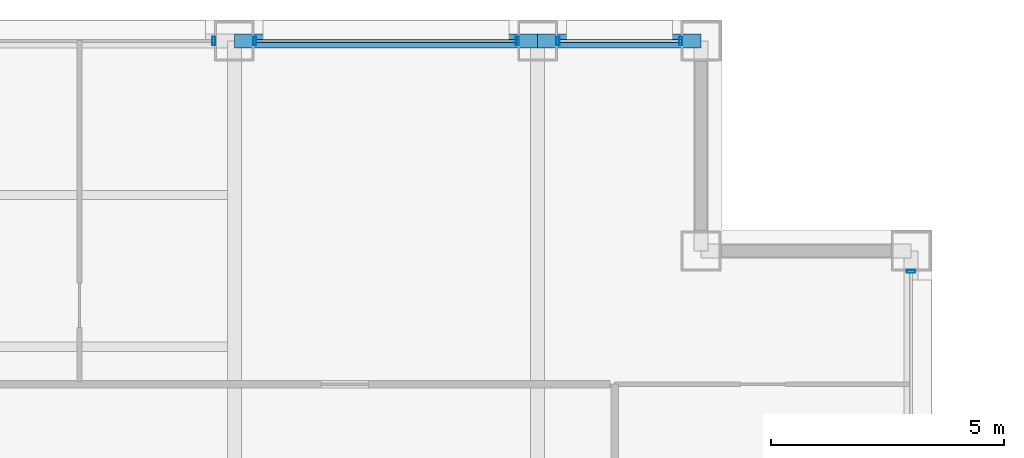
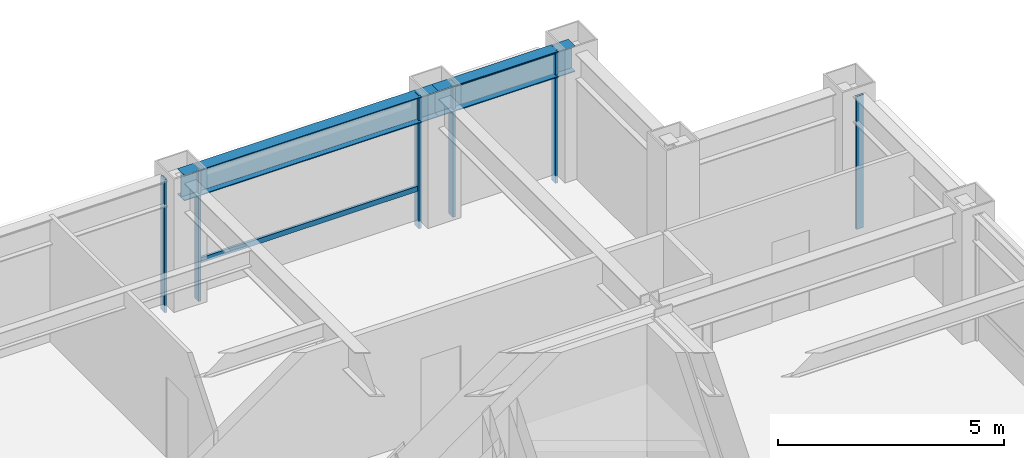
# One storey, part 22 of 28: 8 members, 2 beams, 4 elements without a shape of their own.
"""IFC4 building model written with IfcOpenShell, lengths in metres."""

from ifc_helpers import new_model, si_unit, direction, frame, origin, origin_2d, place, context, subcontext, project, spatial, hollow_rectangle, i_section, extrude, material, layer, layer_set, material_profile, profile_set, type_object, element, aggregate, save


model = new_model("IFC4")

# Units and contexts
model_context = context("Model", 3, precision=1e-05, world=origin(), true_north=direction((0.0, 1.0)))
body_context = subcontext(model_context, "Body", "Model", "MODEL_VIEW")
ifc_project = project(units=[si_unit("LENGTHUNIT", "METRE"), si_unit("AREAUNIT", "SQUARE_METRE"), si_unit("VOLUMEUNIT", "CUBIC_METRE"), si_unit("PLANEANGLEUNIT", "RADIAN"), si_unit("MASSUNIT", "GRAM", prefix="KILO")], contexts=[model_context])

# Site, building, storey
site_placement = place(None, origin())
site = spatial("IfcSite", under=ifc_project, at=site_placement, CompositionType="ELEMENT")
building_placement = place(site_placement, origin())
building = spatial("IfcBuilding", under=site, at=building_placement, Name="Brelmoor Portico Tower", CompositionType="ELEMENT")
storey_placement = place(building_placement, frame((0.0, 0.0, 91.800048828125)))
storey = spatial("IfcBuildingStorey", under=building, at=storey_placement, Name="L23", CompositionType="ELEMENT", Elevation=91.800048828125)

# Beams
ifc_material_1 = material(Name="Steel Q355B", Category="steel")
ifc_material_profile_1 = material_profile(ifc_material_1, i_section(OverallWidth=0.300048828125, OverallDepth=0.699951171875, WebThickness=0.012939453125, FlangeThickness=0.02392578125, at=origin_2d()), Name="HN 700x300x13x24")
ifc_profile_set_1 = profile_set([ifc_material_profile_1], Name="Steel Q355B")
beam_type = type_object("IfcBeamType", Name="BM-SP-700", PredefinedType="SPANDREL", material=ifc_profile_set_1)
beam_1_placement = place(storey_placement, frame((8.050048828125, 19.550048828125, 3.050048828125), z_axis=(1.0, 0.0, 0.0), x_axis=(0.0, 1.0, 0.0)))
element("IfcBeam", 1, at=beam_1_placement, inside=storey, type_object=beam_type, Name="L23 Perimeter Spandrel Beam SP-13", PredefinedType="SPANDREL", context=body_context, shape_type="SweptSolid", body=[
    extrude(i_section(OverallWidth=0.300048828125, OverallDepth=0.699951171875, WebThickness=0.012939453125, FlangeThickness=0.02392578125, at=origin_2d()), origin(), (0.0, 0.0, 1.0), 6.5),
])
beam_2_placement = place(storey_placement, frame((14.550048828125, 19.550048828125, 3.050048828125), z_axis=(1.0, 0.0, 0.0), x_axis=(0.0, 1.0, 0.0)))
element("IfcBeam", 2, at=beam_2_placement, inside=storey, type_object=beam_type, Name="L23 Perimeter Spandrel Beam SP-14", PredefinedType="SPANDREL", context=body_context, shape_type="SweptSolid", body=[
    extrude(i_section(OverallWidth=0.300048828125, OverallDepth=0.699951171875, WebThickness=0.012939453125, FlangeThickness=0.02392578125, at=origin_2d()), origin(), (0.0, 0.0, 1.0), 3.5),
])

# Curtain wall, member
ifc_material_2 = material(Name="Anodised Aluminium Alloy 6063-T6", Category="aluminium")
ifc_layer_1 = layer(ifc_material_2, 0.179931640625)
ifc_layer_set_1 = layer_set([ifc_layer_1], Name="Anodised Aluminium Alloy 6063-T6")
curtain_wall_type_1 = type_object("IfcCurtainWallType", Name="CW-TOWER-Z2-XB", PredefinedType="NOTDEFINED", material=ifc_layer_set_1)
curtain_wall_1_placement = place(storey_placement, origin())
curtain_wall_1 = element("IfcCurtainWall", 3, at=curtain_wall_1_placement, inside=storey, type_object=curtain_wall_type_1, Name="L23 Curtain Wall CW-L23-02-3", PredefinedType="NOTDEFINED")
ifc_material_profile_2 = material_profile(ifc_material_2, hollow_rectangle(XDim=0.06494140625, YDim=0.179931640625, WallThickness=0.00390625, at=origin_2d()), Name="ALU MULLION 65x180")
ifc_profile_set_2 = profile_set([ifc_material_profile_2], Name="Anodised Aluminium Alloy 6063-T6")
member_type_1 = type_object("IfcMemberType", Name="MB-CW-MULL-180", PredefinedType="MULLION", material=ifc_profile_set_2)
member_1_placement = place(storey_placement, frame((7.614990234375, 19.550048828125, -0.199951171875), z_axis=(0.0, 0.0, 1.0), x_axis=(1.0, 0.0, 0.0)))
member_1 = element("IfcMember", 4, at=member_1_placement, type_object=member_type_1, Name="CW-L23-02-3 Mullion 01", PredefinedType="MULLION", context=body_context, shape_type="SweptSolid", body=[
    extrude(hollow_rectangle(XDim=0.06494140625, YDim=0.179931640625, WallThickness=0.00390625, at=origin_2d()), origin(), (0.0, 0.0, 1.0), 3.599853515625),
])
aggregate(curtain_wall_1, [member_1])

# Curtain wall, members
ifc_layer_2 = layer(ifc_material_2, 0.179931640625)
ifc_layer_set_2 = layer_set([ifc_layer_2], Name="Anodised Aluminium Alloy 6063-T6")
curtain_wall_type_2 = type_object("IfcCurtainWallType", Name="CW-TOWER-Z2", PredefinedType="NOTDEFINED", material=ifc_layer_set_2)
curtain_wall_2_placement = place(storey_placement, origin())
curtain_wall_2 = element("IfcCurtainWall", 5, at=curtain_wall_2_placement, inside=storey, type_object=curtain_wall_type_2, Name="L23 Curtain Wall CW-L23-02-4", PredefinedType="NOTDEFINED")
member_2_placement = place(storey_placement, frame((8.485107421875, 19.550048828125, -0.199951171875), z_axis=(0.0, 0.0, 1.0), x_axis=(1.0, 0.0, 0.0)))
member_2 = element("IfcMember", 6, at=member_2_placement, type_object=member_type_1, Name="CW-L23-02-4 Mullion 00", PredefinedType="MULLION", context=body_context, shape_type="SweptSolid", body=[
    extrude(hollow_rectangle(XDim=0.06494140625, YDim=0.179931640625, WallThickness=0.00390625, at=origin_2d()), origin(), (0.0, 0.0, 1.0), 3.599853515625),
])
member_3_placement = place(storey_placement, frame((14.114990234375, 19.550048828125, -0.199951171875), z_axis=(0.0, 0.0, 1.0), x_axis=(1.0, 0.0, 0.0)))
member_3 = element("IfcMember", 7, at=member_3_placement, type_object=member_type_1, Name="CW-L23-02-4 Mullion 01", PredefinedType="MULLION", context=body_context, shape_type="SweptSolid", body=[
    extrude(hollow_rectangle(XDim=0.06494140625, YDim=0.179931640625, WallThickness=0.00390625, at=origin_2d()), origin(), (0.0, 0.0, 1.0), 3.599853515625),
])

curtain_wall_3_placement = place(storey_placement, origin())
curtain_wall_3 = element("IfcCurtainWall", 8, at=curtain_wall_3_placement, inside=storey, type_object=curtain_wall_type_1, Name="L23 Curtain Wall CW-L23-02-5", PredefinedType="NOTDEFINED")
member_4_placement = place(storey_placement, frame((14.985107421875, 19.550048828125, -0.199951171875), z_axis=(0.0, 0.0, 1.0), x_axis=(1.0, 0.0, 0.0)))
member_4 = element("IfcMember", 9, at=member_4_placement, type_object=member_type_1, Name="CW-L23-02-5 Mullion 00", PredefinedType="MULLION", context=body_context, shape_type="SweptSolid", body=[
    extrude(hollow_rectangle(XDim=0.06494140625, YDim=0.179931640625, WallThickness=0.00390625, at=origin_2d()), origin(), (0.0, 0.0, 1.0), 3.599853515625),
])
member_5_placement = place(storey_placement, frame((17.614990234375, 19.550048828125, -0.199951171875), z_axis=(0.0, 0.0, 1.0), x_axis=(1.0, 0.0, 0.0)))
member_5 = element("IfcMember", 10, at=member_5_placement, type_object=member_type_1, Name="CW-L23-02-5 Mullion 01", PredefinedType="MULLION", context=body_context, shape_type="SweptSolid", body=[
    extrude(hollow_rectangle(XDim=0.06494140625, YDim=0.179931640625, WallThickness=0.00390625, at=origin_2d()), origin(), (0.0, 0.0, 1.0), 3.599853515625),
])

# Curtain wall, member
curtain_wall_4_placement = place(storey_placement, origin())
curtain_wall_4 = element("IfcCurtainWall", 11, at=curtain_wall_4_placement, inside=storey, type_object=curtain_wall_type_1, Name="L23 Curtain Wall CW-L23-04-3", PredefinedType="NOTDEFINED")
member_6_placement = place(storey_placement, frame((22.550048828125, 14.614990234375, -0.199951171875), z_axis=(0.0, 0.0, 1.0), x_axis=(0.0, 1.0, 0.0)))
member_6 = element("IfcMember", 12, at=member_6_placement, type_object=member_type_1, Name="CW-L23-04-3 Mullion 01", PredefinedType="MULLION", context=body_context, shape_type="SweptSolid", body=[
    extrude(hollow_rectangle(XDim=0.06494140625, YDim=0.179931640625, WallThickness=0.00390625, at=origin_2d()), origin(), (0.0, 0.0, 1.0), 3.599853515625),
])
aggregate(curtain_wall_4, [member_6])

# Member
ifc_material_profile_3 = material_profile(ifc_material_2, hollow_rectangle(XDim=0.06494140625, YDim=0.139892578125, WallThickness=0.00390625, at=origin_2d()), Name="ALU TRANSOM 65x140")
ifc_profile_set_3 = profile_set([ifc_material_profile_3], Name="Anodised Aluminium Alloy 6063-T6")
member_type_2 = type_object("IfcMemberType", Name="MB-CW-TRAN-140", PredefinedType="USERDEFINED", material=ifc_profile_set_3)
member_7_placement = place(storey_placement, frame((8.485107421875, 19.550048828125, 0.849853515625), z_axis=(1.0, 0.0, 0.0), x_axis=(0.0, 1.0, 0.0)))
member_7 = element("IfcMember", 13, at=member_7_placement, type_object=member_type_2, Name="CW-L23-02-4 Transom 1-00", ObjectType="TRANSOM", PredefinedType="USERDEFINED", context=body_context, shape_type="SweptSolid", body=[
    extrude(hollow_rectangle(XDim=0.06494140625, YDim=0.139892578125, WallThickness=0.00390625, at=origin_2d()), origin(), (0.0, 0.0, 1.0), 5.6298828125),
])

aggregate(curtain_wall_2, [member_2, member_3, member_7])

member_8_placement = place(storey_placement, frame((14.985107421875, 19.550048828125, 3.329833984375), z_axis=(1.0, 0.0, 0.0), x_axis=(0.0, 1.0, 0.0)))
member_8 = element("IfcMember", 14, at=member_8_placement, type_object=member_type_2, Name="CW-L23-02-5 Transom 1-00", ObjectType="TRANSOM", PredefinedType="USERDEFINED", context=body_context, shape_type="SweptSolid", body=[
    extrude(hollow_rectangle(XDim=0.06494140625, YDim=0.139892578125, WallThickness=0.00390625, at=origin_2d()), origin(), (0.0, 0.0, 1.0), 2.6298828125),
])

aggregate(curtain_wall_3, [member_4, member_5, member_8])

save(model, "model.ifc")
